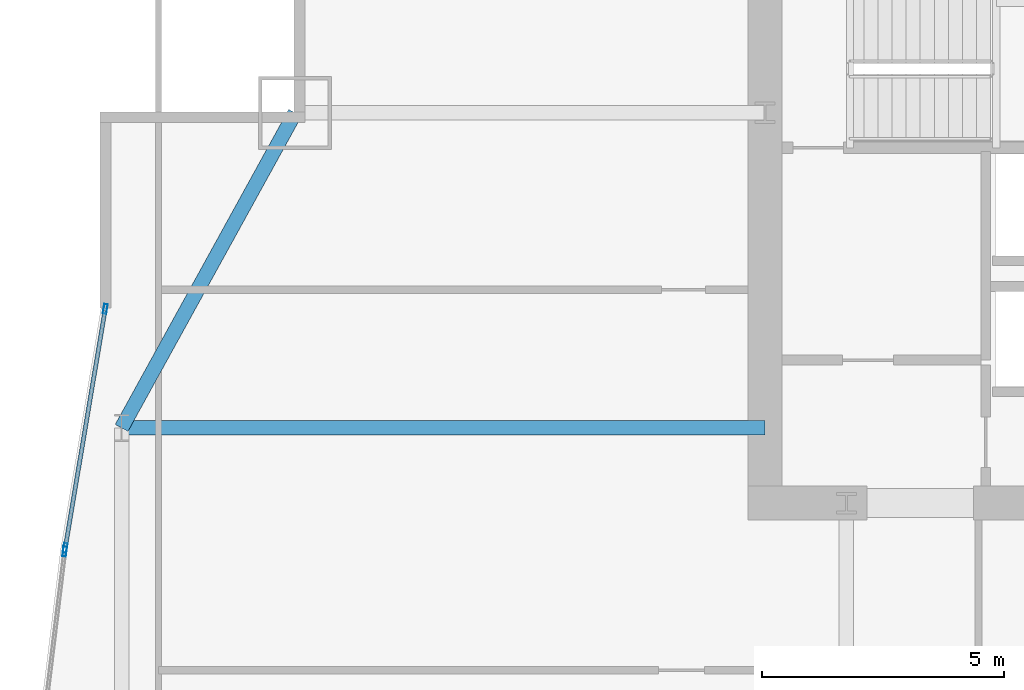
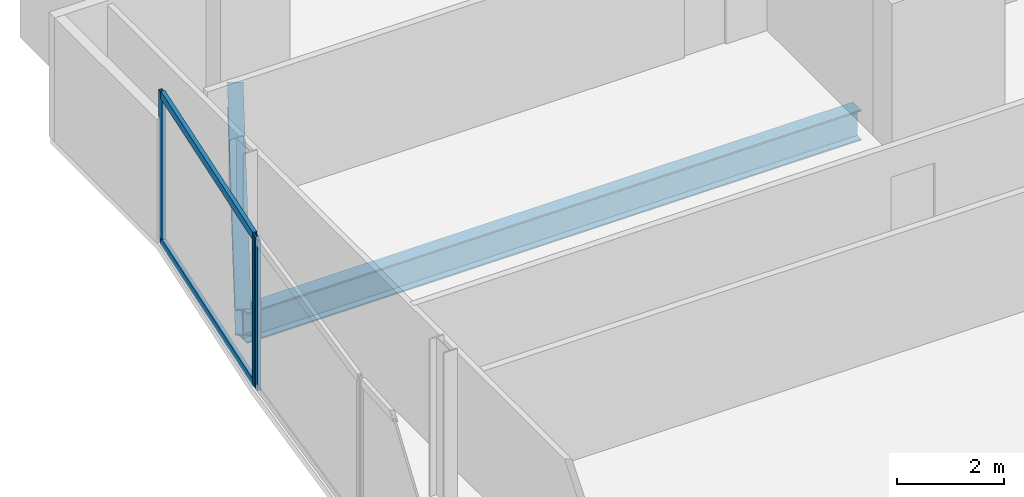
# One storey, part 17 of 31: 5 members, 2 beams, 2 elements without a shape of their own.
"""IFC4 building model written with IfcOpenShell, lengths in metres."""

from ifc_helpers import new_model, si_unit, direction, frame, origin, origin_2d, place, context, subcontext, project, spatial, hollow_rectangle, i_section, extrude, material, material_profile, profile_set, type_object, element, aggregate, save


model = new_model("IFC4")

# Units and contexts
model_context = context("Model", 3, precision=1e-05, world=origin(), true_north=direction((0.0, 1.0)))
body_context = subcontext(model_context, "Body", "Model", "MODEL_VIEW")
ifc_project = project(units=[si_unit("LENGTHUNIT", "METRE"), si_unit("AREAUNIT", "SQUARE_METRE"), si_unit("VOLUMEUNIT", "CUBIC_METRE"), si_unit("PLANEANGLEUNIT", "RADIAN"), si_unit("MASSUNIT", "GRAM", prefix="KILO")], contexts=[model_context])

# Site, building, storey
site_placement = place(None, origin())
site = spatial("IfcSite", under=ifc_project, at=site_placement, CompositionType="ELEMENT")
building_placement = place(site_placement, origin())
building = spatial("IfcBuilding", under=site, at=building_placement, Name="Khoronbel Lancet Exchange", CompositionType="ELEMENT")
storey_placement = place(building_placement, frame((0.0, 0.0, 121.800048828125)))
storey = spatial("IfcBuildingStorey", under=building, at=storey_placement, Name="L29", CompositionType="ELEMENT", Elevation=121.800048828125)

# Beams
ifc_material_1 = material(Name="Steel S355", Category="steel")
ifc_material_profile_1 = material_profile(ifc_material_1, i_section(OverallWidth=0.300048828125, OverallDepth=0.699951171875, WebThickness=0.01708984375, FlangeThickness=0.031982421875, at=origin_2d()), Name="HEB 700")
ifc_profile_set_1 = profile_set([ifc_material_profile_1], Name="Steel S355")
beam_type_1 = type_object("IfcBeamType", Name="BM-BG3", PredefinedType="BEAM", material=ifc_profile_set_1)
beam_1_placement = place(storey_placement, frame((3.27001953125, 43.199951171875, -0.510009765625), z_axis=(1.0, 0.0, 0.0), x_axis=(0.0, 1.0, 0.0)))
element("IfcBeam", 1, at=beam_1_placement, inside=storey, type_object=beam_type_1, Name="Level L29 west lens tie girder LG3W", PredefinedType="BEAM", context=body_context, shape_type="SweptSolid", body=[
    extrude(i_section(OverallWidth=0.300048828125, OverallDepth=0.699951171875, WebThickness=0.01708984375, FlangeThickness=0.031982421875, at=origin_2d()), origin(), (0.0, 0.0, 1.0), 13.280029296875),
])
ifc_material_profile_2 = material_profile(ifc_material_1, i_section(OverallWidth=0.300048828125, OverallDepth=0.60009765625, WebThickness=0.015380859375, FlangeThickness=0.030029296875, at=origin_2d()), Name="HEB 600")
ifc_profile_set_2 = profile_set([ifc_material_profile_2], Name="Steel S355")
beam_type_2 = type_object("IfcBeamType", Name="BM-BSP2", PredefinedType="SPANDREL", material=ifc_profile_set_2)
beam_2_placement = place(storey_placement, frame((6.85009765625, 49.699951171875, -0.4599609375), z_axis=(-0.482444051088, -0.875926787791, 0.0), x_axis=(0.875926787791, -0.482444051088, 0.0)))
element("IfcBeam", 2, at=beam_2_placement, inside=storey, type_object=beam_type_2, Name="Level L29 perimeter spandrel beam SP16", PredefinedType="SPANDREL", context=body_context, shape_type="SweptSolid", body=[
    extrude(i_section(OverallWidth=0.300048828125, OverallDepth=0.60009765625, WebThickness=0.015380859375, FlangeThickness=0.030029296875, at=origin_2d()), origin(), (0.0, 0.0, 1.0), 7.420654296875),
])

# Curtain wall, member
ifc_material_2 = material(Name="Low-E Solar Control Insulating Glass", Category="glass")
curtain_wall_type = type_object("IfcCurtainWallType", Name="CW-4", PredefinedType="NOTDEFINED", material=ifc_material_2)
curtain_wall_1_placement = place(storey_placement, origin())
curtain_wall_1 = element("IfcCurtainWall", 3, at=curtain_wall_1_placement, inside=storey, type_object=curtain_wall_type, Name="Unitised curtain wall CW-L29-E08", PredefinedType="NOTDEFINED")
ifc_material_3 = material(Name="Bronze-Anodised Aluminium 6063-T6", Category="aluminium")
ifc_material_profile_3 = material_profile(ifc_material_3, hollow_rectangle(XDim=0.074951171875, YDim=0.199951171875, WallThickness=0.0048828125, at=origin_2d()), Name="ALU MULLION 75x200")
ifc_profile_set_3 = profile_set([ifc_material_profile_3], Name="Bronze-Anodised Aluminium 6063-T6")
member_type_1 = type_object("IfcMemberType", Name="MEM-CWM2", PredefinedType="MULLION", material=ifc_profile_set_3)
member_1_placement = place(storey_placement, frame((2.096435546875, 40.64990234375, 0.0), z_axis=(0.0, 0.0, 1.0), x_axis=(-0.992557199503, 0.121779332051, 0.0)))
member_1 = element("IfcMember", 4, at=member_1_placement, type_object=member_type_1, Name="CW4 mullion 2", PredefinedType="MULLION", context=body_context, shape_type="SweptSolid", body=[
    extrude(hollow_rectangle(XDim=0.074951171875, YDim=0.199951171875, WallThickness=0.0048828125, at=origin_2d()), origin(), (0.0, 0.0, 1.0), 3.43994140625),
])
aggregate(curtain_wall_1, [member_1])

# Curtain wall, members
curtain_wall_2_placement = place(storey_placement, origin())
curtain_wall_2 = element("IfcCurtainWall", 5, at=curtain_wall_2_placement, inside=storey, type_object=curtain_wall_type, Name="Unitised curtain wall CW-L29-E09", PredefinedType="NOTDEFINED")
member_2_placement = place(storey_placement, frame((2.107177734375, 40.72412109375, 0.0), z_axis=(0.0, 0.0, 1.0), x_axis=(-0.986244409726, 0.165293570002, 0.0)))
member_2 = element("IfcMember", 6, at=member_2_placement, type_object=member_type_1, Name="CW4 mullion 1", PredefinedType="MULLION", context=body_context, shape_type="SweptSolid", body=[
    extrude(hollow_rectangle(XDim=0.074951171875, YDim=0.199951171875, WallThickness=0.0048828125, at=origin_2d()), origin(), (0.0, 0.0, 1.0), 3.43994140625),
])
member_3_placement = place(storey_placement, frame((2.933837890625, 45.655517578125, 0.0), z_axis=(0.0, 0.0, 1.0), x_axis=(-0.986244409726, 0.165293570002, 0.0)))
member_3 = element("IfcMember", 7, at=member_3_placement, type_object=member_type_1, Name="CW4 mullion 2", PredefinedType="MULLION", context=body_context, shape_type="SweptSolid", body=[
    extrude(hollow_rectangle(XDim=0.074951171875, YDim=0.199951171875, WallThickness=0.0048828125, at=origin_2d()), origin(), (0.0, 0.0, 1.0), 3.43994140625),
])
ifc_material_profile_4 = material_profile(ifc_material_3, hollow_rectangle(XDim=0.0849609375, YDim=0.179931640625, WallThickness=0.0048828125, at=origin_2d()), Name="ALU TRANSOM 85x180")
ifc_profile_set_4 = profile_set([ifc_material_profile_4], Name="Bronze-Anodised Aluminium 6063-T6")
member_type_2 = type_object("IfcMemberType", Name="MEM-CWT1", PredefinedType="USERDEFINED", material=ifc_profile_set_4)
member_4_placement = place(storey_placement, frame((2.113525390625, 40.760986328125, 0.04248046875), z_axis=(0.165258992853, 0.986250204198, 0.0), x_axis=(-0.986250204198, 0.165258992853, 0.0)))
member_4 = element("IfcMember", 8, at=member_4_placement, type_object=member_type_2, Name="CW4 transom 1.1", ObjectType="TRANSOM", PredefinedType="USERDEFINED", context=body_context, shape_type="SweptSolid", body=[
    extrude(hollow_rectangle(XDim=0.0849609375, YDim=0.179931640625, WallThickness=0.0048828125, at=origin_2d()), origin(), (0.0, 0.0, 1.0), 4.92529296875),
])
member_5_placement = place(storey_placement, frame((2.113525390625, 40.760986328125, 3.3974609375), z_axis=(0.165258992853, 0.986250204198, 0.0), x_axis=(-0.986250204198, 0.165258992853, 0.0)))
member_5 = element("IfcMember", 9, at=member_5_placement, type_object=member_type_2, Name="CW4 transom 1.2", ObjectType="TRANSOM", PredefinedType="USERDEFINED", context=body_context, shape_type="SweptSolid", body=[
    extrude(hollow_rectangle(XDim=0.0849609375, YDim=0.179931640625, WallThickness=0.0048828125, at=origin_2d()), origin(), (0.0, 0.0, 1.0), 4.92529296875),
])
aggregate(curtain_wall_2, [member_2, member_3, member_4, member_5])

save(model, "model.ifc")
